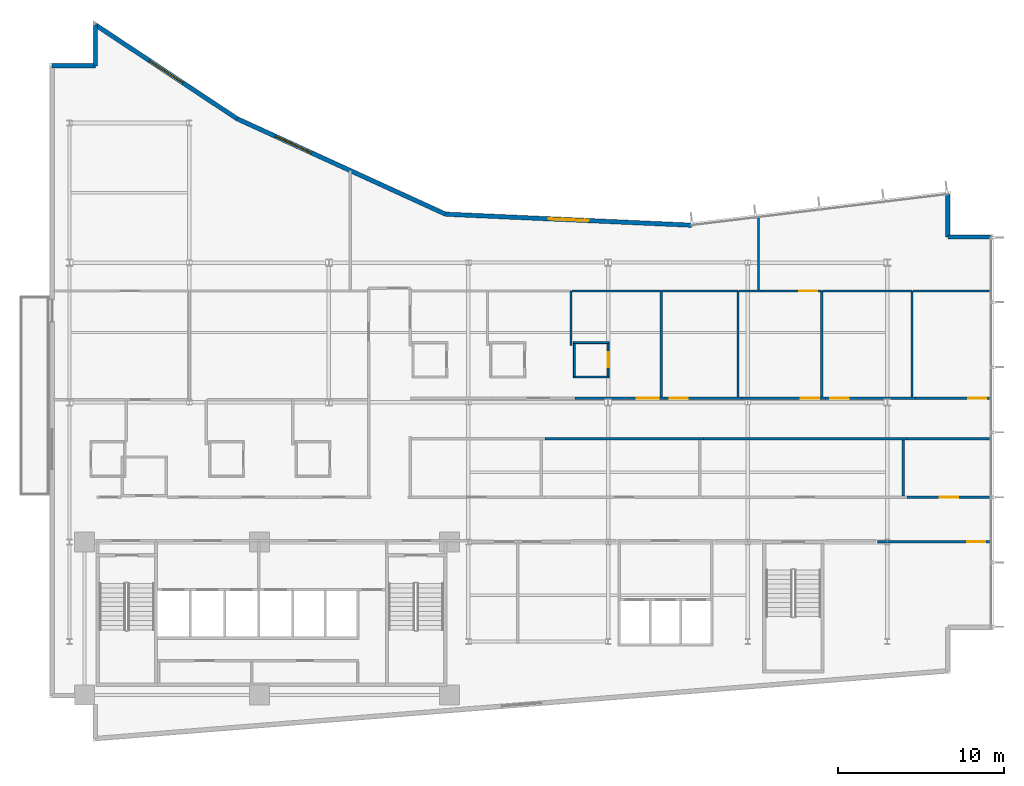
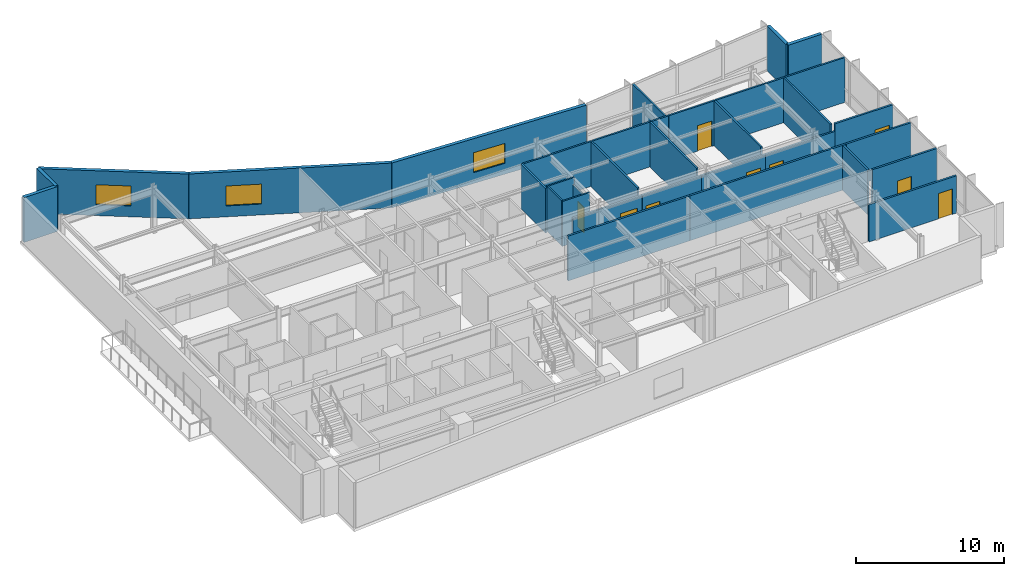
# One storey, part 13 of 18: 34 walls, 9 doors, 3 windows, 12 openings.
"""IFC4 building model written with IfcOpenShell, lengths in metres."""

from ifc_helpers import new_model, si_unit, direction, frame, frame_2d, origin, place, context, subcontext, project, spatial, rectangle, extrude, material, layer, layer_set, type_object, element, fill, save


model = new_model("IFC4")

# Units and contexts
model_context = context("Model", 3, precision=1e-05, world=origin(), true_north=direction((0.0, 1.0)))
body_context = subcontext(model_context, "Body", "Model", "MODEL_VIEW")
ifc_project = project(units=[si_unit("LENGTHUNIT", "METRE"), si_unit("AREAUNIT", "SQUARE_METRE"), si_unit("VOLUMEUNIT", "CUBIC_METRE"), si_unit("PLANEANGLEUNIT", "RADIAN"), si_unit("MASSUNIT", "GRAM", prefix="KILO")], contexts=[model_context])

# Site, building, storey
site_placement = place(None, origin())
site = spatial("IfcSite", under=ifc_project, at=site_placement, CompositionType="ELEMENT")
building_placement = place(site_placement, origin())
building = spatial("IfcBuilding", under=site, at=building_placement, Name="Varnakote Quay Hospital", CompositionType="ELEMENT")
storey_placement = place(building_placement, frame((0.0, 0.0, 119.14990234375)))
storey = spatial("IfcBuildingStorey", under=building, at=storey_placement, Name="L29", CompositionType="ELEMENT", Elevation=119.14990234375)

# Walls
ifc_material_1 = material(Name="Moisture-resistant bathroom partition", Category="gypsum")
ifc_layer_1 = layer(ifc_material_1, 0.114990234375)
ifc_layer_set_1 = layer_set([ifc_layer_1], Name="Moisture-resistant bathroom partition")
wall_type_1 = type_object("IfcWallType", Name="WL-ENS-115", PredefinedType="PARTITIONING", material=ifc_layer_set_1)
for number, where, z_axis, x_axis, name in (
    (1, (31.514892578125, 21.922607421875, 0.0), (0.0, 0.0, 1.0), (1.0, 0.0, 0.0), "L29 Inpatient En-Suite Bathroom 06 S Wall"),
    (2, (31.514892578125, 23.987548828125, 0.0), (0.0, 0.0, 1.0), (1.0, 0.0, 0.0), "L29 Inpatient En-Suite Bathroom 06 N Wall"),
):
    element("IfcWall", number, at=place(storey_placement, frame(where, z_axis=z_axis, x_axis=x_axis)), inside=storey, type_object=wall_type_1, Name=name, PredefinedType="PARTITIONING", context=body_context, shape_type="SweptSolid", body=[
        extrude(rectangle(XDim=2.150146484375, YDim=0.114990234375, at=frame_2d((1.0751953125, 0.0))), origin(), (0.0, 0.0, 1.0), 3.710205078125),
    ])
wall_1_placement = place(storey_placement, frame((31.572509765625, 21.97998046875, 0.0), z_axis=(0.0, 0.0, 1.0), x_axis=(0.0, 1.0, 0.0)))
element("IfcWall", 3, at=wall_1_placement, inside=storey, type_object=wall_type_1, Name="L29 Inpatient En-Suite Bathroom 06 W Wall", PredefinedType="PARTITIONING", context=body_context, shape_type="SweptSolid", body=[
    extrude(rectangle(XDim=1.949951171875, YDim=0.114990234375, at=frame_2d((0.97509765625, 0.0))), origin(), (0.0, 0.0, 1.0), 3.710205078125),
])

# Wall, opening, door
wall_2_placement = place(storey_placement, frame((33.607421875, 21.97998046875, 0.0), z_axis=(0.0, 0.0, 1.0), x_axis=(0.0, 1.0, 0.0)))
wall_2 = element("IfcWall", 4, at=wall_2_placement, inside=storey, type_object=wall_type_1, Name="L29 Inpatient En-Suite Bathroom 06 E Wall", PredefinedType="PARTITIONING", context=body_context, shape_type="SweptSolid", body=[
    extrude(rectangle(XDim=1.949951171875, YDim=0.114990234375, at=frame_2d((0.97509765625, 0.0))), origin(), (0.0, 0.0, 1.0), 3.152099609375),
])
opening_1_placement = place(wall_2_placement, frame((0.514892578125, 0.0, 0.0)))
opening_1 = element("IfcOpeningElement", 5, at=opening_1_placement, cuts=wall_2, Name="Opening D-L29-ENS06", PredefinedType="OPENING", context=body_context, shape_type="SweptSolid", body=[
    extrude(rectangle(XDim=0.919921875, YDim=2.10009765625, at=frame_2d((0.4599609375, 1.050048828125))), frame((0.0, 0.0673828125, 0.0), z_axis=(0.0, -1.0, 0.0), x_axis=(1.0, 0.0, 0.0)), (0.0, 0.0, 1.0), 0.135009765625),
])
ifc_material_2 = material(Name="Moisture-sealed en-suite bathroom door")
door_type_1 = type_object("IfcDoorType", Name="DR-ENS-920x2100", OperationType="NOTDEFINED", PredefinedType="DOOR", material=ifc_material_2)
door_1_placement = place(opening_1_placement, origin())
door_1 = element("IfcDoor", 6, at=door_1_placement, inside=storey, type_object=door_type_1, Name="L29 Inpatient En-Suite Bathroom 06 Door", OperationType="SINGLE_SWING_LEFT", OverallHeight=2.10009765625, OverallWidth=0.919921875, PredefinedType="DOOR", context=body_context, shape_type="SweptSolid", body=[
    extrude(rectangle(XDim=0.919921875, YDim=2.10009765625, at=frame_2d((0.4599609375, 1.050048828125))), frame((0.0, 0.02490234375, 0.0), z_axis=(0.0, -1.0, 0.0), x_axis=(1.0, 0.0, 0.0)), (0.0, 0.0, 1.0), 0.050048828125),
])
fill(opening_1, door_1)

# Walls
ifc_material_3 = material(Name="Precast concrete N50 (f'c 50 MPa)", Category="concrete")
ifc_layer_2 = layer(ifc_material_3, 0.260009765625)
ifc_layer_set_2 = layer_set([ifc_layer_2], Name="Precast concrete N50 (f'c 50 MPa)")
wall_type_2 = type_object("IfcWallType", Name="WL-EXT-BRICK-260", PredefinedType="STANDARD", material=ifc_layer_set_2)
wall_3_placement = place(storey_placement, frame((56.639892578125, 30.340087890625, 0.0), z_axis=(0.0, 0.0, 1.0), x_axis=(-1.0, 0.0, 0.0)))
element("IfcWall", 7, at=wall_3_placement, inside=storey, type_object=wall_type_2, Name="L29 Brick-Faced Precast Exterior Wall", PredefinedType="STANDARD", context=body_context, shape_type="SweptSolid", body=[
    extrude(rectangle(XDim=2.599853515625, YDim=0.260009765625, at=frame_2d((1.2998046875, 0.0))), origin(), (0.0, 0.0, 1.0), 3.710205078125),
])
wall_4_placement = place(storey_placement, frame((54.0400390625, 30.340087890625, 0.0), z_axis=(0.0, 0.0, 1.0), x_axis=(0.0, 1.0, 0.0)))
element("IfcWall", 8, at=wall_4_placement, inside=storey, type_object=wall_type_2, Name="L29 Brick-Faced Precast Exterior Wall", PredefinedType="STANDARD", context=body_context, shape_type="SweptSolid", body=[
    extrude(rectangle(XDim=2.579345703125, YDim=0.260009765625, at=frame_2d((1.28955078125, 0.0))), origin(), (0.0, 0.0, 1.0), 3.710205078125),
])

# Wall, opening, window
wall_5_placement = place(storey_placement, frame((38.630126953125, 31.051513671875, 0.0), z_axis=(0.0, 0.0, 1.0), x_axis=(-0.998996592956, 0.044786239663, 0.0)))
wall_5 = element("IfcWall", 9, at=wall_5_placement, inside=storey, type_object=wall_type_2, Name="L29 Brick-Faced Precast Exterior Wall", PredefinedType="STANDARD", context=body_context, shape_type="SweptSolid", body=[
    extrude(rectangle(XDim=14.827392578125, YDim=0.260009765625, at=frame_2d((7.41357421875, 0.0))), origin(), (0.0, 0.0, 1.0), 3.710205078125),
])
opening_2_placement = place(wall_5_placement, frame((6.213623046875, 0.0, 0.89990234375)))
opening_2 = element("IfcOpeningElement", 10, at=opening_2_placement, cuts=wall_5, Name="Opening WN-0127", PredefinedType="OPENING", context=body_context, shape_type="SweptSolid", body=[
    extrude(rectangle(XDim=2.39990234375, YDim=1.64990234375, at=frame_2d((1.199951171875, 0.824951171875))), frame((0.0, 0.139892578125, 0.0), z_axis=(0.0, -1.0, 0.0), x_axis=(1.0, 0.0, 0.0)), (0.0, 0.0, 1.0), 0.280029296875),
])
ifc_material_4 = material(Name="Double-glazed low-E solar glass", Category="glass")
window_type = type_object("IfcWindowType", Name="WIN-CLIN-2400x1650", PartitioningType="SINGLE_PANEL", PredefinedType="WINDOW", material=ifc_material_4)
window_1_placement = place(opening_2_placement, origin())
window_1 = element("IfcWindow", 11, at=window_1_placement, inside=storey, type_object=window_type, Name="L29 Solar-Control Clinical Window", OverallHeight=1.64990234375, OverallWidth=2.39990234375, PartitioningType="SINGLE_PANEL", PredefinedType="WINDOW", context=body_context, shape_type="SweptSolid", body=[
    extrude(rectangle(XDim=2.39990234375, YDim=1.64990234375, at=frame_2d((1.199951171875, 0.824951171875))), frame((0.0, 0.030029296875, 0.0), z_axis=(0.0, -1.0, 0.0), x_axis=(1.0, 0.0, 0.0)), (0.0, 0.0, 1.0), 0.06005859375),
])
fill(opening_2, window_1)

wall_6_placement = place(storey_placement, frame((23.817626953125, 31.715576171875, 0.0), z_axis=(0.0, 0.0, 1.0), x_axis=(-0.909209527513, 0.416338846471, 0.0)))
wall_6 = element("IfcWall", 12, at=wall_6_placement, inside=storey, type_object=wall_type_2, Name="L29 Brick-Faced Precast Exterior Wall", PredefinedType="STANDARD", context=body_context, shape_type="SweptSolid", body=[
    extrude(rectangle(XDim=13.787353515625, YDim=0.260009765625, at=frame_2d((6.8935546875, 0.0))), origin(), (0.0, 0.0, 1.0), 3.710205078125),
])
opening_3_placement = place(wall_6_placement, frame((8.853515625, 0.0, 0.89990234375)))
opening_3 = element("IfcOpeningElement", 13, at=opening_3_placement, cuts=wall_6, Name="Opening WN-0128", PredefinedType="OPENING", context=body_context, shape_type="SweptSolid", body=[
    extrude(rectangle(XDim=2.39990234375, YDim=1.64990234375, at=frame_2d((1.199951171875, 0.824951171875))), frame((0.0, 0.139892578125, 0.0), z_axis=(0.0, -1.0, 0.0), x_axis=(1.0, 0.0, 0.0)), (0.0, 0.0, 1.0), 0.280029296875),
])
window_2_placement = place(opening_3_placement, origin())
window_2 = element("IfcWindow", 14, at=window_2_placement, inside=storey, type_object=window_type, Name="L29 Solar-Control Clinical Window", OverallHeight=1.64990234375, OverallWidth=2.39990234375, PartitioningType="SINGLE_PANEL", PredefinedType="WINDOW", context=body_context, shape_type="SweptSolid", body=[
    extrude(rectangle(XDim=2.39990234375, YDim=1.64990234375, at=frame_2d((1.199951171875, 0.824951171875))), frame((0.0, 0.030029296875, 0.0), z_axis=(0.0, -1.0, 0.0), x_axis=(1.0, 0.0, 0.0)), (0.0, 0.0, 1.0), 0.06005859375),
])
fill(opening_3, window_2)

wall_7_placement = place(storey_placement, frame((11.281982421875, 37.455810546875, 0.0), z_axis=(0.0, 0.0, 1.0), x_axis=(-0.833630474253, 0.552322580017, 0.0)))
wall_7 = element("IfcWall", 15, at=wall_7_placement, inside=storey, type_object=wall_type_2, Name="L29 Brick-Faced Precast Exterior Wall", PredefinedType="STANDARD", context=body_context, shape_type="SweptSolid", body=[
    extrude(rectangle(XDim=10.22265625, YDim=0.260009765625, at=frame_2d((5.111328125, 0.0))), origin(), (0.0, 0.0, 1.0), 3.710205078125),
])
opening_4_placement = place(wall_7_placement, frame((3.911376953125, 0.0, 0.89990234375)))
opening_4 = element("IfcOpeningElement", 16, at=opening_4_placement, cuts=wall_7, Name="Opening WN-0129", PredefinedType="OPENING", context=body_context, shape_type="SweptSolid", body=[
    extrude(rectangle(XDim=2.39990234375, YDim=1.64990234375, at=frame_2d((1.199951171875, 0.824951171875))), frame((0.0, 0.139892578125, 0.0), z_axis=(0.0, -1.0, 0.0), x_axis=(1.0, 0.0, 0.0)), (0.0, 0.0, 1.0), 0.280029296875),
])
window_3_placement = place(opening_4_placement, origin())
window_3 = element("IfcWindow", 17, at=window_3_placement, inside=storey, type_object=window_type, Name="L29 Solar-Control Clinical Window", OverallHeight=1.64990234375, OverallWidth=2.39990234375, PartitioningType="SINGLE_PANEL", PredefinedType="WINDOW", context=body_context, shape_type="SweptSolid", body=[
    extrude(rectangle(XDim=2.39990234375, YDim=1.64990234375, at=frame_2d((1.199951171875, 0.824951171875))), frame((0.0, 0.030029296875, 0.0), z_axis=(0.0, -1.0, 0.0), x_axis=(1.0, 0.0, 0.0)), (0.0, 0.0, 1.0), 0.06005859375),
])
fill(opening_4, window_3)

# Walls
wall_8_placement = place(storey_placement, frame((2.760009765625, 43.10205078125, 0.0), z_axis=(0.0, 0.0, 1.0), x_axis=(0.0, -1.0, 0.0)))
element("IfcWall", 18, at=wall_8_placement, inside=storey, type_object=wall_type_2, Name="L29 Brick-Faced Precast Exterior Wall", PredefinedType="STANDARD", context=body_context, shape_type="SweptSolid", body=[
    extrude(rectangle(XDim=2.462158203125, YDim=0.260009765625, at=frame_2d((1.23095703125, 0.0))), origin(), (0.0, 0.0, 1.0), 3.710205078125),
])
wall_9_placement = place(storey_placement, frame((2.760009765625, 40.639892578125, 0.0), z_axis=(0.0, 0.0, 1.0), x_axis=(-1.0, 0.0, 0.0)))
element("IfcWall", 19, at=wall_9_placement, inside=storey, type_object=wall_type_2, Name="L29 Brick-Faced Precast Exterior Wall", PredefinedType="STANDARD", context=body_context, shape_type="SweptSolid", body=[
    extrude(rectangle(XDim=2.60009765625, YDim=0.260009765625, at=frame_2d((1.300048828125, 0.0))), origin(), (0.0, 0.0, 1.0), 3.710205078125),
])
ifc_material_5 = material(Name="Smoke-proof clinical partition", Category="gypsum")
ifc_layer_3 = layer(ifc_material_5, 0.135009765625)
ifc_layer_set_3 = layer_set([ifc_layer_3], Name="Smoke-proof clinical partition")
wall_type_3 = type_object("IfcWallType", Name="WL-SMOKE-135", PredefinedType="PARTITIONING", material=ifc_layer_set_3)
wall_10_placement = place(storey_placement, frame((51.360107421875, 14.760009765625, 0.0), z_axis=(0.0, 0.0, 1.0), x_axis=(0.0, 1.0, 0.0)))
element("IfcWall", 20, at=wall_10_placement, inside=storey, type_object=wall_type_3, Name="L29 Clinical Interior Partition", PredefinedType="PARTITIONING", context=body_context, shape_type="SweptSolid", body=[
    extrude(rectangle(XDim=3.360107421875, YDim=0.135009765625, at=frame_2d((1.68017578125, 0.0))), origin(), (0.0, 0.0, 1.0), 3.710205078125),
])
wall_11_placement = place(storey_placement, frame((31.3701171875, 23.802490234375, 0.0), z_axis=(0.0, 0.0, 1.0), x_axis=(0.0, 1.0, 0.0)))
element("IfcWall", 21, at=wall_11_placement, inside=storey, type_object=wall_type_3, Name="L29 Clinical Interior Partition", PredefinedType="PARTITIONING", context=body_context, shape_type="SweptSolid", body=[
    extrude(rectangle(XDim=3.297607421875, YDim=0.135009765625, at=frame_2d((1.64892578125, 0.0))), origin(), (0.0, 0.0, 1.0), 3.710205078125),
])
wall_12_placement = place(storey_placement, frame((36.800048828125, 20.715087890625, 0.0), z_axis=(0.0, 0.0, 1.0), x_axis=(0.0, 1.0, 0.0)))
element("IfcWall", 22, at=wall_12_placement, inside=storey, type_object=wall_type_3, Name="L29 Clinical Interior Partition", PredefinedType="PARTITIONING", context=body_context, shape_type="SweptSolid", body=[
    extrude(rectangle(XDim=6.385009765625, YDim=0.135009765625, at=frame_2d((3.1923828125, 0.0))), origin(), (0.0, 0.0, 1.0), 3.710205078125),
])
wall_13_placement = place(storey_placement, frame((36.800048828125, 27.10009765625, 0.0), z_axis=(0.0, 0.0, 1.0), x_axis=(-1.0, 0.0, 0.0)))
element("IfcWall", 23, at=wall_13_placement, inside=storey, type_object=wall_type_3, Name="L29 Clinical Interior Partition", PredefinedType="PARTITIONING", context=body_context, shape_type="SweptSolid", body=[
    extrude(rectangle(XDim=5.37255859375, YDim=0.135009765625, at=frame_2d((2.686279296875, 0.0))), origin(), (0.0, 0.0, 1.0), 3.710205078125),
])
wall_14_placement = place(storey_placement, frame((41.419921875, 20.715087890625, 0.0), z_axis=(0.0, 0.0, 1.0), x_axis=(0.0, 1.0, 0.0)))
element("IfcWall", 24, at=wall_14_placement, inside=storey, type_object=wall_type_3, Name="L29 Clinical Interior Partition", PredefinedType="PARTITIONING", context=body_context, shape_type="SweptSolid", body=[
    extrude(rectangle(XDim=6.385009765625, YDim=0.135009765625, at=frame_2d((3.1923828125, 0.0))), origin(), (0.0, 0.0, 1.0), 3.710205078125),
])
wall_15_placement = place(storey_placement, frame((41.419921875, 27.10009765625, 0.0), z_axis=(0.0, 0.0, 1.0), x_axis=(-1.0, 0.0, 0.0)))
element("IfcWall", 25, at=wall_15_placement, inside=storey, type_object=wall_type_3, Name="L29 Clinical Interior Partition", PredefinedType="PARTITIONING", context=body_context, shape_type="SweptSolid", body=[
    extrude(rectangle(XDim=4.5625, YDim=0.135009765625, at=frame_2d((2.28125, 0.0))), origin(), (0.0, 0.0, 1.0), 3.710205078125),
])
wall_16_placement = place(storey_placement, frame((46.449951171875, 20.715087890625, 0.0), z_axis=(0.0, 0.0, 1.0), x_axis=(0.0, 1.0, 0.0)))
element("IfcWall", 26, at=wall_16_placement, inside=storey, type_object=wall_type_3, Name="L29 Clinical Interior Partition", PredefinedType="PARTITIONING", context=body_context, shape_type="SweptSolid", body=[
    extrude(rectangle(XDim=6.385009765625, YDim=0.135009765625, at=frame_2d((3.1923828125, 0.0))), origin(), (0.0, 0.0, 1.0), 3.710205078125),
])
wall_17_placement = place(storey_placement, frame((42.82861328125, 27.10009765625, 0.0), z_axis=(0.0, 0.0, 1.0), x_axis=(-1.0, 0.0, 0.0)))
element("IfcWall", 27, at=wall_17_placement, inside=storey, type_object=wall_type_3, Name="L29 Clinical Interior Partition", PredefinedType="PARTITIONING", context=body_context, shape_type="SweptSolid", body=[
    extrude(rectangle(XDim=1.35107421875, YDim=0.135009765625, at=frame_2d((0.675537109375, 0.0))), origin(), (0.0, 0.0, 1.0), 3.710205078125),
])

# Wall, opening, door
wall_18_placement = place(storey_placement, frame((46.449951171875, 27.10009765625, 0.0), z_axis=(0.0, 0.0, 1.0), x_axis=(-1.0, 0.0, 0.0)))
wall_18 = element("IfcWall", 28, at=wall_18_placement, inside=storey, type_object=wall_type_3, Name="L29 Clinical Interior Partition", PredefinedType="PARTITIONING", context=body_context, shape_type="SweptSolid", body=[
    extrude(rectangle(XDim=3.619384765625, YDim=0.135009765625, at=frame_2d((1.8095703125, 0.0))), origin(), (0.0, 0.0, 1.0), 3.710205078125),
])
opening_5_placement = place(wall_18_placement, frame((0.2529296875, 0.0, 0.0)))
opening_5 = element("IfcOpeningElement", 29, at=opening_5_placement, cuts=wall_18, Name="Opening D-L29-MD13", PredefinedType="OPENING", context=body_context, shape_type="SweptSolid", body=[
    extrude(rectangle(XDim=1.10009765625, YDim=2.10009765625, at=frame_2d((0.550048828125, 1.050048828125))), frame((0.0, 0.077392578125, 0.0), z_axis=(0.0, -1.0, 0.0), x_axis=(1.0, 0.0, 0.0)), (0.0, 0.0, 1.0), 0.155029296875),
])
ifc_material_6 = material(Name="Acoustic timber clinical consult door", Category="wood")
door_type_2 = type_object("IfcDoorType", Name="DR-CLIN-FD30S-1100x2100", OperationType="NOTDEFINED", PredefinedType="DOOR", material=ifc_material_6)
door_2_placement = place(opening_5_placement, origin())
door_2 = element("IfcDoor", 30, at=door_2_placement, inside=storey, type_object=door_type_2, Name="L29 Ward Nurse Station Office Door", OperationType="SINGLE_SWING_RIGHT", OverallHeight=2.10009765625, OverallWidth=1.10009765625, PredefinedType="DOOR", context=body_context, shape_type="SweptSolid", body=[
    extrude(rectangle(XDim=1.10009765625, YDim=2.10009765625, at=frame_2d((0.550048828125, 1.050048828125))), frame((0.0, 0.02490234375, 0.0), z_axis=(0.0, -1.0, 0.0), x_axis=(1.0, 0.0, 0.0)), (0.0, 0.0, 1.0), 0.050048828125),
])
fill(opening_5, door_2)

# Walls
wall_19_placement = place(storey_placement, frame((51.8798828125, 20.715087890625, 0.0), z_axis=(0.0, 0.0, 1.0), x_axis=(0.0, 1.0, 0.0)))
element("IfcWall", 31, at=wall_19_placement, inside=storey, type_object=wall_type_3, Name="L29 Clinical Interior Partition", PredefinedType="PARTITIONING", context=body_context, shape_type="SweptSolid", body=[
    extrude(rectangle(XDim=6.385009765625, YDim=0.135009765625, at=frame_2d((3.1923828125, 0.0))), origin(), (0.0, 0.0, 1.0), 3.710205078125),
])
wall_20_placement = place(storey_placement, frame((51.8798828125, 27.10009765625, 0.0), z_axis=(0.0, 0.0, 1.0), x_axis=(-1.0, 0.0, 0.0)))
element("IfcWall", 32, at=wall_20_placement, inside=storey, type_object=wall_type_3, Name="L29 Clinical Interior Partition", PredefinedType="PARTITIONING", context=body_context, shape_type="SweptSolid", body=[
    extrude(rectangle(XDim=5.372314453125, YDim=0.135009765625, at=frame_2d((2.68603515625, 0.0))), origin(), (0.0, 0.0, 1.0), 3.710205078125),
])
wall_21_placement = place(storey_placement, frame((56.639892578125, 27.10009765625, 0.0), z_axis=(0.0, 0.0, 1.0), x_axis=(-1.0, 0.0, 0.0)))
element("IfcWall", 33, at=wall_21_placement, inside=storey, type_object=wall_type_3, Name="L29 Clinical Interior Partition", PredefinedType="PARTITIONING", context=body_context, shape_type="SweptSolid", body=[
    extrude(rectangle(XDim=4.702392578125, YDim=0.135009765625, at=frame_2d((2.35107421875, 0.0))), origin(), (0.0, 0.0, 1.0), 3.710205078125),
])
wall_22_placement = place(storey_placement, frame((42.64990234375, 27.157470703125, 0.0), z_axis=(0.0, 0.0, 1.0), x_axis=(0.0, 1.0, 0.0)))
element("IfcWall", 34, at=wall_22_placement, inside=storey, type_object=wall_type_3, Name="L29 Clinical Interior Partition", PredefinedType="PARTITIONING", context=body_context, shape_type="SweptSolid", body=[
    extrude(rectangle(XDim=4.38134765625, YDim=0.135009765625, at=frame_2d((2.190673828125, 0.0))), origin(), (0.0, 0.0, 1.0), 3.710205078125),
])

# Wall, opening, door
ifc_material_7 = material(Name="Fire-rated clinical gypsum partition", Category="gypsum")
ifc_layer_4 = layer(ifc_material_7, 0.14990234375)
ifc_layer_set_4 = layer_set([ifc_layer_4], Name="Fire-rated clinical gypsum partition")
wall_type_4 = type_object("IfcWallType", Name="WL-WARD-150", PredefinedType="PARTITIONING", material=ifc_layer_set_4)
wall_23_placement = place(storey_placement, frame((56.639892578125, 12.0, 0.0), z_axis=(0.0, 0.0, 1.0), x_axis=(-1.0, 0.0, 0.0)))
wall_23 = element("IfcWall", 35, at=wall_23_placement, inside=storey, type_object=wall_type_4, Name="L29 Clinical Interior Partition", PredefinedType="PARTITIONING", context=body_context, shape_type="SweptSolid", body=[
    extrude(rectangle(XDim=6.83984375, YDim=0.14990234375, at=frame_2d((3.419921875, 0.0))), origin(), (0.0, 0.0, 1.0), 3.0830078125),
])
opening_6_placement = place(wall_23_placement, frame((0.33349609375, 0.0, 0.0)))
opening_6 = element("IfcOpeningElement", 36, at=opening_6_placement, cuts=wall_23, Name="Opening D-L29-SE1", PredefinedType="OPENING", context=body_context, shape_type="SweptSolid", body=[
    extrude(rectangle(XDim=1.10009765625, YDim=2.10009765625, at=frame_2d((0.550048828125, 1.050048828125))), frame((0.0, 0.0849609375, 0.0), z_axis=(0.0, -1.0, 0.0), x_axis=(1.0, 0.0, 0.0)), (0.0, 0.0, 1.0), 0.169921875),
])
door_3_placement = place(opening_6_placement, origin())
door_3 = element("IfcDoor", 37, at=door_3_placement, inside=storey, type_object=door_type_2, Name="L29 Clinical Biomedical Engineering Office Door", OperationType="SINGLE_SWING_RIGHT", OverallHeight=2.10009765625, OverallWidth=1.10009765625, PredefinedType="DOOR", context=body_context, shape_type="SweptSolid", body=[
    extrude(rectangle(XDim=1.10009765625, YDim=2.10009765625, at=frame_2d((0.550048828125, 1.050048828125))), frame((0.0, 0.02490234375, 0.0), z_axis=(0.0, -1.0, 0.0), x_axis=(1.0, 0.0, 0.0)), (0.0, 0.0, 1.0), 0.050048828125),
])
fill(opening_6, door_3)

wall_24_placement = place(storey_placement, frame((56.639892578125, 14.679931640625, 0.0), z_axis=(0.0, 0.0, 1.0), x_axis=(-1.0, 0.0, 0.0)))
wall_24 = element("IfcWall", 38, at=wall_24_placement, inside=storey, type_object=wall_type_4, Name="L29 Clinical Interior Partition", PredefinedType="PARTITIONING", context=body_context, shape_type="SweptSolid", body=[
    extrude(rectangle(XDim=5.052001953125, YDim=0.14990234375, at=frame_2d((2.52587890625, 0.0))), origin(), (0.0, 0.0, 1.0), 3.710205078125),
])
opening_7_placement = place(wall_24_placement, frame((1.97607421875, 0.0, 0.0)))
opening_7 = element("IfcOpeningElement", 39, at=opening_7_placement, cuts=wall_24, Name="Opening D-L29-MD05", PredefinedType="OPENING", context=body_context, shape_type="SweptSolid", body=[
    extrude(rectangle(XDim=1.10009765625, YDim=2.10009765625, at=frame_2d((0.550048828125, 1.050048828125))), frame((0.0, 0.0849609375, 0.0), z_axis=(0.0, -1.0, 0.0), x_axis=(1.0, 0.0, 0.0)), (0.0, 0.0, 1.0), 0.169921875),
])
door_4_placement = place(opening_7_placement, origin())
door_4 = element("IfcDoor", 40, at=door_4_placement, inside=storey, type_object=door_type_2, Name="L29 Ward Nurse Station Office Door", OperationType="SINGLE_SWING_RIGHT", OverallHeight=2.10009765625, OverallWidth=1.10009765625, PredefinedType="DOOR", context=body_context, shape_type="SweptSolid", body=[
    extrude(rectangle(XDim=1.10009765625, YDim=2.10009765625, at=frame_2d((0.550048828125, 1.050048828125))), frame((0.0, 0.02490234375, 0.0), z_axis=(0.0, -1.0, 0.0), x_axis=(1.0, 0.0, 0.0)), (0.0, 0.0, 1.0), 0.050048828125),
])
fill(opening_7, door_4)

# Walls
wall_25_placement = place(storey_placement, frame((29.80810546875, 18.199951171875, 0.0), z_axis=(0.0, 0.0, 1.0), x_axis=(1.0, 0.0, 0.0)))
element("IfcWall", 41, at=wall_25_placement, inside=storey, type_object=wall_type_4, Name="L29 Clinical Interior Partition", PredefinedType="PARTITIONING", context=body_context, shape_type="SweptSolid", body=[
    extrude(rectangle(XDim=9.52783203125, YDim=0.14990234375, at=frame_2d((4.763916015625, 0.0))), origin(), (0.0, 0.0, 1.0), 3.710205078125),
])
wall_26_placement = place(storey_placement, frame((39.337890625, 18.199951171875, 0.0), z_axis=(0.0, 0.0, 1.0), x_axis=(1.0, 0.0, 0.0)))
element("IfcWall", 42, at=wall_26_placement, inside=storey, type_object=wall_type_4, Name="L29 Clinical Interior Partition", PredefinedType="PARTITIONING", context=body_context, shape_type="SweptSolid", body=[
    extrude(rectangle(XDim=12.248046875, YDim=0.14990234375, at=frame_2d((6.1240234375, 0.0))), origin(), (0.0, 0.0, 1.0), 3.710205078125),
])
wall_27_placement = place(storey_placement, frame((51.587890625, 18.199951171875, 0.0), z_axis=(0.0, 0.0, 1.0), x_axis=(1.0, 0.0, 0.0)))
element("IfcWall", 43, at=wall_27_placement, inside=storey, type_object=wall_type_4, Name="L29 Clinical Interior Partition", PredefinedType="PARTITIONING", context=body_context, shape_type="SweptSolid", body=[
    extrude(rectangle(XDim=5.052001953125, YDim=0.14990234375, at=frame_2d((2.52587890625, 0.0))), origin(), (0.0, 0.0, 1.0), 3.710205078125),
])

# Wall, opening, door
wall_28_placement = place(storey_placement, frame((37.02587890625, 20.64990234375, 0.0), z_axis=(0.0, 0.0, 1.0), x_axis=(-1.0, 0.0, 0.0)))
wall_28 = element("IfcWall", 44, at=wall_28_placement, inside=storey, type_object=wall_type_4, Name="L29 Clinical Interior Partition", PredefinedType="PARTITIONING", context=body_context, shape_type="SweptSolid", body=[
    extrude(rectangle(XDim=5.427978515625, YDim=0.14990234375, at=frame_2d((2.7138671875, 0.0))), origin(), (0.0, 0.0, 1.0), 3.0830078125),
])
opening_8_placement = place(wall_28_placement, frame((0.386474609375, 0.0, 0.0)))
opening_8 = element("IfcOpeningElement", 45, at=opening_8_placement, cuts=wall_28, Name="Opening D-L29-BR06", PredefinedType="OPENING", context=body_context, shape_type="SweptSolid", body=[
    extrude(rectangle(XDim=1.300048828125, YDim=2.14990234375, at=frame_2d((0.64990234375, 1.074951171875))), frame((0.0, 0.0849609375, 0.0), z_axis=(0.0, -1.0, 0.0), x_axis=(1.0, 0.0, 0.0)), (0.0, 0.0, 1.0), 0.169921875),
])
ifc_material_8 = material(Name="Solid-core timber clinical bed door", Category="wood")
door_type_3 = type_object("IfcDoorType", Name="DR-WARD-FD30S-1300x2150", OperationType="NOTDEFINED", PredefinedType="DOOR", material=ifc_material_8)
door_5_placement = place(opening_8_placement, origin())
door_5 = element("IfcDoor", 46, at=door_5_placement, inside=storey, type_object=door_type_3, Name="L29 Resident Care Bedroom 06 Door", OperationType="SINGLE_SWING_LEFT", OverallHeight=2.14990234375, OverallWidth=1.300048828125, PredefinedType="DOOR", context=body_context, shape_type="SweptSolid", body=[
    extrude(rectangle(XDim=1.300048828125, YDim=2.14990234375, at=frame_2d((0.64990234375, 1.074951171875))), frame((0.0, 0.02490234375, 0.0), z_axis=(0.0, -1.0, 0.0), x_axis=(1.0, 0.0, 0.0)), (0.0, 0.0, 1.0), 0.050048828125),
])
fill(opening_8, door_5)

wall_29_placement = place(storey_placement, frame((41.64599609375, 20.64990234375, 0.0), z_axis=(0.0, 0.0, 1.0), x_axis=(-1.0, 0.0, 0.0)))
wall_29 = element("IfcWall", 47, at=wall_29_placement, inside=storey, type_object=wall_type_4, Name="L29 Clinical Interior Partition", PredefinedType="PARTITIONING", context=body_context, shape_type="SweptSolid", body=[
    extrude(rectangle(XDim=4.617919921875, YDim=0.14990234375, at=frame_2d((2.30908203125, 0.0))), origin(), (0.0, 0.0, 1.0), 3.0830078125),
])
opening_9_placement = place(wall_29_placement, frame((3.239990234375, 0.0, 0.0)))
opening_9 = element("IfcOpeningElement", 48, at=opening_9_placement, cuts=wall_29, Name="Opening D-L29-MD07", PredefinedType="OPENING", context=body_context, shape_type="SweptSolid", body=[
    extrude(rectangle(XDim=1.10009765625, YDim=2.10009765625, at=frame_2d((0.550048828125, 1.050048828125))), frame((0.0, 0.0849609375, 0.0), z_axis=(0.0, -1.0, 0.0), x_axis=(1.0, 0.0, 0.0)), (0.0, 0.0, 1.0), 0.169921875),
])
door_6_placement = place(opening_9_placement, origin())
door_6 = element("IfcDoor", 49, at=door_6_placement, inside=storey, type_object=door_type_2, Name="L29 Perinatal Clinical Consultation Suite Door", OperationType="SINGLE_SWING_RIGHT", OverallHeight=2.10009765625, OverallWidth=1.10009765625, PredefinedType="DOOR", context=body_context, shape_type="SweptSolid", body=[
    extrude(rectangle(XDim=1.10009765625, YDim=2.10009765625, at=frame_2d((0.550048828125, 1.050048828125))), frame((0.0, 0.02490234375, 0.0), z_axis=(0.0, -1.0, 0.0), x_axis=(1.0, 0.0, 0.0)), (0.0, 0.0, 1.0), 0.050048828125),
])
fill(opening_9, door_6)

wall_30_placement = place(storey_placement, frame((46.676025390625, 20.64990234375, 0.0), z_axis=(0.0, 0.0, 1.0), x_axis=(-1.0, 0.0, 0.0)))
wall_30 = element("IfcWall", 50, at=wall_30_placement, inside=storey, type_object=wall_type_4, Name="L29 Clinical Interior Partition", PredefinedType="PARTITIONING", context=body_context, shape_type="SweptSolid", body=[
    extrude(rectangle(XDim=5.028076171875, YDim=0.14990234375, at=frame_2d((2.51416015625, 0.0))), origin(), (0.0, 0.0, 1.0), 3.0830078125),
])
opening_10_placement = place(wall_30_placement, frame((0.37646484375, 0.0, 0.0)))
opening_10 = element("IfcOpeningElement", 51, at=opening_10_placement, cuts=wall_30, Name="Opening D-L29-MD08", PredefinedType="OPENING", context=body_context, shape_type="SweptSolid", body=[
    extrude(rectangle(XDim=1.10009765625, YDim=2.10009765625, at=frame_2d((0.550048828125, 1.050048828125))), frame((0.0, 0.0849609375, 0.0), z_axis=(0.0, -1.0, 0.0), x_axis=(1.0, 0.0, 0.0)), (0.0, 0.0, 1.0), 0.169921875),
])
door_7_placement = place(opening_10_placement, origin())
door_7 = element("IfcDoor", 52, at=door_7_placement, inside=storey, type_object=door_type_2, Name="L29 Ward Beverage Pantry Door", OperationType="SINGLE_SWING_LEFT", OverallHeight=2.10009765625, OverallWidth=1.10009765625, PredefinedType="DOOR", context=body_context, shape_type="SweptSolid", body=[
    extrude(rectangle(XDim=1.10009765625, YDim=2.10009765625, at=frame_2d((0.550048828125, 1.050048828125))), frame((0.0, 0.02490234375, 0.0), z_axis=(0.0, -1.0, 0.0), x_axis=(1.0, 0.0, 0.0)), (0.0, 0.0, 1.0), 0.050048828125),
])
fill(opening_10, door_7)

wall_31_placement = place(storey_placement, frame((52.10595703125, 20.64990234375, 0.0), z_axis=(0.0, 0.0, 1.0), x_axis=(-1.0, 0.0, 0.0)))
wall_31 = element("IfcWall", 53, at=wall_31_placement, inside=storey, type_object=wall_type_4, Name="L29 Clinical Interior Partition", PredefinedType="PARTITIONING", context=body_context, shape_type="SweptSolid", body=[
    extrude(rectangle(XDim=5.427978515625, YDim=0.14990234375, at=frame_2d((2.7138671875, 0.0))), origin(), (0.0, 0.0, 1.0), 3.0830078125),
])
opening_11_placement = place(wall_31_placement, frame((4.02978515625, 0.0, 0.0)))
opening_11 = element("IfcOpeningElement", 54, at=opening_11_placement, cuts=wall_31, Name="Opening D-L29-MD09", PredefinedType="OPENING", context=body_context, shape_type="SweptSolid", body=[
    extrude(rectangle(XDim=1.10009765625, YDim=2.10009765625, at=frame_2d((0.550048828125, 1.050048828125))), frame((0.0, 0.0849609375, 0.0), z_axis=(0.0, -1.0, 0.0), x_axis=(1.0, 0.0, 0.0)), (0.0, 0.0, 1.0), 0.169921875),
])
door_8_placement = place(opening_11_placement, origin())
door_8 = element("IfcDoor", 55, at=door_8_placement, inside=storey, type_object=door_type_2, Name="L29 Ward Nurse Station Office Door", OperationType="SINGLE_SWING_RIGHT", OverallHeight=2.10009765625, OverallWidth=1.10009765625, PredefinedType="DOOR", context=body_context, shape_type="SweptSolid", body=[
    extrude(rectangle(XDim=1.10009765625, YDim=2.10009765625, at=frame_2d((0.550048828125, 1.050048828125))), frame((0.0, 0.02490234375, 0.0), z_axis=(0.0, -1.0, 0.0), x_axis=(1.0, 0.0, 0.0)), (0.0, 0.0, 1.0), 0.050048828125),
])
fill(opening_11, door_8)

wall_32_placement = place(storey_placement, frame((56.639892578125, 20.64990234375, 0.0), z_axis=(0.0, 0.0, 1.0), x_axis=(-1.0, 0.0, 0.0)))
wall_32 = element("IfcWall", 56, at=wall_32_placement, inside=storey, type_object=wall_type_4, Name="L29 Clinical Interior Partition", PredefinedType="PARTITIONING", context=body_context, shape_type="SweptSolid", body=[
    extrude(rectangle(XDim=4.531982421875, YDim=0.14990234375, at=frame_2d((2.26611328125, 0.0))), origin(), (0.0, 0.0, 1.0), 3.710205078125),
])
opening_12_placement = place(wall_32_placement, frame((0.27587890625, 0.0, 0.0)))
opening_12 = element("IfcOpeningElement", 57, at=opening_12_placement, cuts=wall_32, Name="Opening D-L29-MD10", PredefinedType="OPENING", context=body_context, shape_type="SweptSolid", body=[
    extrude(rectangle(XDim=1.10009765625, YDim=2.10009765625, at=frame_2d((0.550048828125, 1.050048828125))), frame((0.0, 0.0849609375, 0.0), z_axis=(0.0, -1.0, 0.0), x_axis=(1.0, 0.0, 0.0)), (0.0, 0.0, 1.0), 0.169921875),
])
door_9_placement = place(opening_12_placement, origin())
door_9 = element("IfcDoor", 58, at=door_9_placement, inside=storey, type_object=door_type_2, Name="L29 Specialty Ward Treatment Suite Door", OperationType="SINGLE_SWING_LEFT", OverallHeight=2.10009765625, OverallWidth=1.10009765625, PredefinedType="DOOR", context=body_context, shape_type="SweptSolid", body=[
    extrude(rectangle(XDim=1.10009765625, YDim=2.10009765625, at=frame_2d((0.550048828125, 1.050048828125))), frame((0.0, 0.02490234375, 0.0), z_axis=(0.0, -1.0, 0.0), x_axis=(1.0, 0.0, 0.0)), (0.0, 0.0, 1.0), 0.050048828125),
])
fill(opening_12, door_9)

save(model, "model.ifc")
